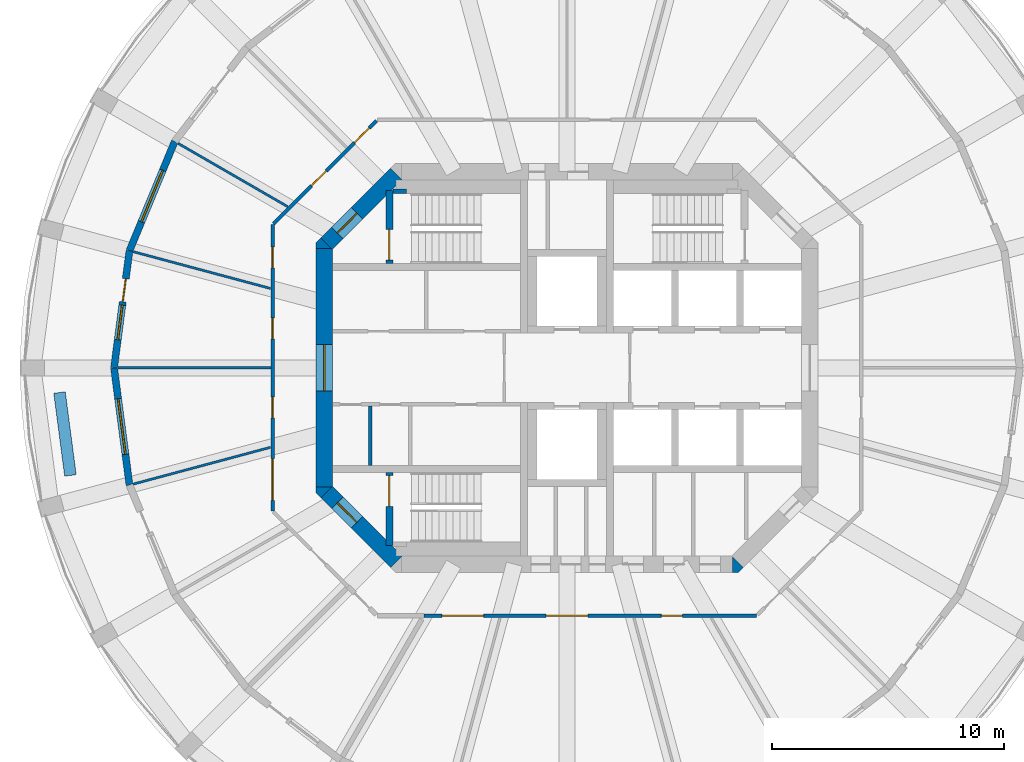
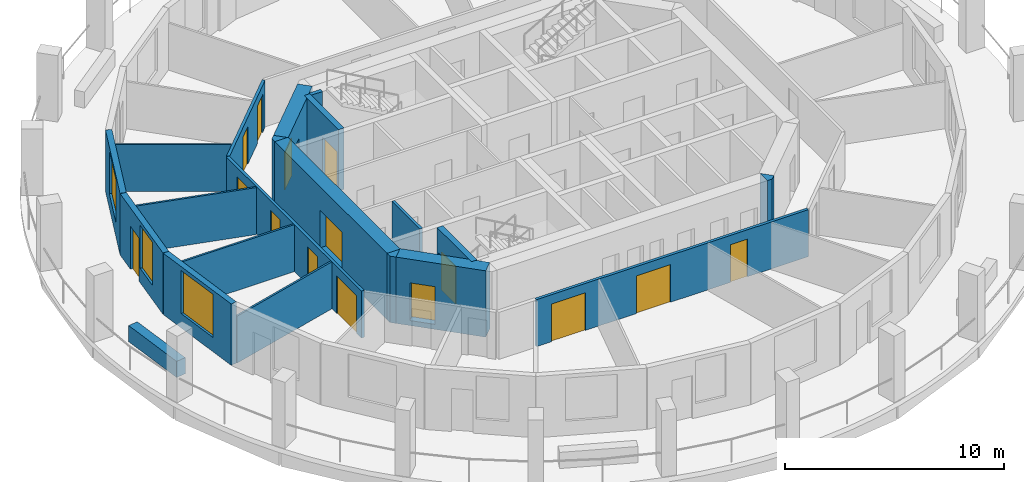
# One storey, part 3 of 9: 21 walls, 15 doors, 3 windows, 18 openings.
"""IFC4 building model written with IfcOpenShell, lengths in metres."""

from ifc_helpers import new_model, si_unit, direction, frame, frame_2d, origin, place, context, subcontext, project, spatial, polyline, rectangle, outline, extrude, material, layer, layer_set, type_object, element, fill, save


model = new_model("IFC4")

# Units and contexts
model_context = context("Model", 3, precision=1e-05, world=origin(), true_north=direction((0.0, 1.0)))
body_context = subcontext(model_context, "Body", "Model", "MODEL_VIEW")
ifc_project = project(units=[si_unit("LENGTHUNIT", "METRE"), si_unit("AREAUNIT", "SQUARE_METRE"), si_unit("VOLUMEUNIT", "CUBIC_METRE"), si_unit("PLANEANGLEUNIT", "RADIAN"), si_unit("MASSUNIT", "GRAM", prefix="KILO")], contexts=[model_context])

# Site, building, storey
site_placement = place(None, origin())
site = spatial("IfcSite", under=ifc_project, at=site_placement, CompositionType="ELEMENT")
building_placement = place(site_placement, origin())
building = spatial("IfcBuilding", under=site, at=building_placement, Name="Torre Triforio", CompositionType="ELEMENT")
storey_placement = place(building_placement, frame((0.0, 0.0, 211.300048828125)))
storey = spatial("IfcBuildingStorey", under=building, at=storey_placement, Name="L48", CompositionType="ELEMENT", Elevation=211.300048828125)

# Wall, opening, door
ifc_material_1 = material(Name="Concrete C50", Category="concrete")
ifc_layer_1 = layer(ifc_material_1, 0.699951171875)
ifc_layer_set_1 = layer_set([ifc_layer_1], Name="Concrete C50")
wall_type_1 = type_object("IfcWallType", Name="Core wall 700 mm C50 EI 120", PredefinedType="SHEAR", material=ifc_layer_set_1)
wall_1_placement = place(storey_placement, frame((-10.449951171875, -5.1298828125, -0.280029296875), z_axis=(0.0, 0.0, 1.0), x_axis=(0.0, 1.0, 0.0)))
wall_1 = element("IfcWall", 1, at=wall_1_placement, inside=storey, type_object=wall_type_1, Name="Core wall", PredefinedType="SHEAR", context=body_context, shape_type="SweptSolid", body=[
    extrude(rectangle(XDim=10.259765625, YDim=0.699951171875, at=frame_2d((5.1298828125, 0.0))), origin(), (0.0, 0.0, 1.0), 3.699951171875),
])
opening_1_placement = place(wall_1_placement, frame((4.1298828125, 0.0, 0.280029296875)))
opening_1 = element("IfcOpeningElement", 2, at=opening_1_placement, cuts=wall_1, Name="Opening W-RING", PredefinedType="OPENING", context=body_context, shape_type="SweptSolid", body=[
    extrude(rectangle(XDim=2.0, YDim=2.10009765625, at=frame_2d((1.0, 1.050048828125))), frame((0.0, 0.35986328125, 0.0), z_axis=(0.0, -1.0, 0.0), x_axis=(1.0, 0.0, 0.0)), (0.0, 0.0, 1.0), 0.719970703125),
])
ifc_material_2 = material(Name="Hollow metal fire door leaf")
door_type_1 = type_object("IfcDoorType", Name="Lobby door 2000 x 2100 EI 60", OperationType="DOUBLE_DOOR_SINGLE_SWING", PredefinedType="DOOR", material=ifc_material_2)
door_1_placement = place(opening_1_placement, origin())
door_1 = element("IfcDoor", 3, at=door_1_placement, inside=storey, type_object=door_type_1, Name="Core door W-RING", OperationType="DOUBLE_DOOR_SINGLE_SWING", OverallHeight=2.10009765625, OverallWidth=2.0, PredefinedType="DOOR", context=body_context, shape_type="SweptSolid", body=[
    extrude(rectangle(XDim=2.0, YDim=2.10009765625, at=frame_2d((1.0, 1.050048828125))), frame((0.0, 0.02490234375, 0.0), z_axis=(0.0, -1.0, 0.0), x_axis=(1.0, 0.0, 0.0)), (0.0, 0.0, 1.0), 0.050048828125),
])
fill(opening_1, door_1)

wall_2_placement = place(storey_placement, frame((-10.347412109375, 5.347412109375, -0.280029296875), z_axis=(0.0, 0.0, 1.0), x_axis=(0.707106781187, 0.707106781187, 0.0)))
wall_2 = element("IfcWall", 4, at=wall_2_placement, inside=storey, type_object=wall_type_1, Name="Core wall", PredefinedType="SHEAR", context=body_context, shape_type="SweptSolid", body=[
    extrude(rectangle(XDim=4.24267578125, YDim=0.699951171875, at=frame_2d((2.121337890625, 0.0))), origin(), (0.0, 0.0, 1.0), 3.699951171875),
])
opening_2_placement = place(wall_2_placement, frame((0.64990234375, 0.0, 0.280029296875)))
opening_2 = element("IfcOpeningElement", 5, at=opening_2_placement, cuts=wall_2, Name="Opening ST1-EXIT", PredefinedType="OPENING", context=body_context, shape_type="SweptSolid", body=[
    extrude(rectangle(XDim=1.199951171875, YDim=2.10009765625, at=frame_2d((0.60009765625, 1.050048828125))), frame((0.0, 0.35986328125, 0.0), z_axis=(0.0, -1.0, 0.0), x_axis=(1.0, 0.0, 0.0)), (0.0, 0.0, 1.0), 0.719970703125),
])
door_type_2 = type_object("IfcDoorType", Name="Stair lobby door 1200 x 2100 EI 60", OperationType="NOTDEFINED", PredefinedType="DOOR", material=ifc_material_2)
door_2_placement = place(opening_2_placement, origin())
door_2 = element("IfcDoor", 6, at=door_2_placement, inside=storey, type_object=door_type_2, Name="Core door ST1-EXIT", OperationType="SINGLE_SWING_RIGHT", OverallHeight=2.10009765625, OverallWidth=1.199951171875, PredefinedType="DOOR", context=body_context, shape_type="SweptSolid", body=[
    extrude(rectangle(XDim=1.199951171875, YDim=2.10009765625, at=frame_2d((0.60009765625, 1.050048828125))), frame((0.0, 0.02490234375, 0.0), z_axis=(0.0, -1.0, 0.0), x_axis=(1.0, 0.0, 0.0)), (0.0, 0.0, 1.0), 0.050048828125),
])
fill(opening_2, door_2)

wall_3_placement = place(storey_placement, frame((-7.347412109375, -8.347412109375, -0.280029296875), z_axis=(0.0, 0.0, 1.0), x_axis=(-0.707106781187, 0.707106781187, 0.0)))
wall_3 = element("IfcWall", 7, at=wall_3_placement, inside=storey, type_object=wall_type_1, Name="Core wall", PredefinedType="SHEAR", context=body_context, shape_type="SweptSolid", body=[
    extrude(rectangle(XDim=4.24267578125, YDim=0.699951171875, at=frame_2d((2.121337890625, 0.0))), origin(), (0.0, 0.0, 1.0), 3.699951171875),
])
opening_3_placement = place(wall_3_placement, frame((2.392578125, 0.0, 0.280029296875)))
opening_3 = element("IfcOpeningElement", 8, at=opening_3_placement, cuts=wall_3, Name="Opening ST3-EXIT", PredefinedType="OPENING", context=body_context, shape_type="SweptSolid", body=[
    extrude(rectangle(XDim=1.199951171875, YDim=2.10009765625, at=frame_2d((0.60009765625, 1.050048828125))), frame((0.0, 0.35986328125, 0.0), z_axis=(0.0, -1.0, 0.0), x_axis=(1.0, 0.0, 0.0)), (0.0, 0.0, 1.0), 0.719970703125),
])
door_3_placement = place(opening_3_placement, origin())
door_3 = element("IfcDoor", 9, at=door_3_placement, inside=storey, type_object=door_type_2, Name="Core door ST3-EXIT", OperationType="SINGLE_SWING_RIGHT", OverallHeight=2.10009765625, OverallWidth=1.199951171875, PredefinedType="DOOR", context=body_context, shape_type="SweptSolid", body=[
    extrude(rectangle(XDim=1.199951171875, YDim=2.10009765625, at=frame_2d((0.60009765625, 1.050048828125))), frame((0.0, 0.02490234375, 0.0), z_axis=(0.0, -1.0, 0.0), x_axis=(1.0, 0.0, 0.0)), (0.0, 0.0, 1.0), 0.050048828125),
])
fill(opening_3, door_3)

# Walls
wall_4_placement = place(storey_placement, frame((0.0, 0.0, -0.280029296875)))
element("IfcWall", 10, at=wall_4_placement, inside=storey, type_object=wall_type_1, Name="Core wall", PredefinedType="SHEAR", context=body_context, shape_type="SweptSolid", body=[
    extrude(outline(polyline([(7.389892578125, -8.800048828125), (7.1298828125, -8.800048828125), (7.1298828125, -8.800048828125), (7.1298828125, -8.1298828125), (7.594970703125, -8.594970703125), (7.594970703125, -8.594970703125), (7.594970703125, -8.594970703125), (7.389892578125, -8.800048828125)])), origin(), (0.0, 0.0, 1.0), 3.699951171875),
])
wall_5_placement = place(storey_placement, frame((0.0, 0.0, -0.280029296875)))
element("IfcWall", 11, at=wall_5_placement, inside=storey, type_object=wall_type_1, Name="Core wall", PredefinedType="SHEAR", context=body_context, shape_type="SweptSolid", body=[
    extrude(outline(polyline([(-10.800048828125, -5.389892578125), (-10.800048828125, -5.1298828125), (-10.800048828125, -5.1298828125), (-10.1298828125, -5.1298828125), (-10.594970703125, -5.594970703125), (-10.594970703125, -5.594970703125), (-10.594970703125, -5.594970703125), (-10.800048828125, -5.389892578125)])), origin(), (0.0, 0.0, 1.0), 3.699951171875),
])
wall_6_placement = place(storey_placement, frame((0.0, 0.0, -0.280029296875)))
element("IfcWall", 12, at=wall_6_placement, inside=storey, type_object=wall_type_1, Name="Core wall", PredefinedType="SHEAR", context=body_context, shape_type="SweptSolid", body=[
    extrude(outline(polyline([(-10.594970703125, 5.594970703125), (-10.594970703125, 5.594970703125), (-10.594970703125, 5.594970703125), (-10.1298828125, 5.1298828125), (-10.800048828125, 5.1298828125), (-10.800048828125, 5.1298828125), (-10.800048828125, 5.389892578125), (-10.594970703125, 5.594970703125)])), origin(), (0.0, 0.0, 1.0), 3.699951171875),
])

# Wall, openings, doors
ifc_material_3 = material(Name="Plasterboard on metal studs")
ifc_layer_2 = layer(ifc_material_3, 0.14990234375)
ifc_layer_set_2 = layer_set([ifc_layer_2], Name="Plasterboard on metal studs")
wall_type_2 = type_object("IfcWallType", Name="Corridor and tenancy wall 150 mm EI 60", PredefinedType="PARTITIONING", material=ifc_layer_set_2)
wall_7_placement = place(storey_placement, frame((8.16650390625, -10.675048828125, 0.0), z_axis=(0.0, 0.0, 1.0), x_axis=(-1.0, 0.0, 0.0)))
wall_7 = element("IfcWall", 13, at=wall_7_placement, inside=storey, type_object=wall_type_2, Name="Partition 2", PredefinedType="PARTITIONING", context=body_context, shape_type="SweptSolid", body=[
    extrude(rectangle(XDim=14.32958984375, YDim=0.14990234375, at=frame_2d((7.164794921875, 0.0))), origin(), (0.0, 0.0, 1.0), 2.619873046875),
])
opening_4_placement = place(wall_7_placement, frame((7.2666015625, 0.0, 0.0)))
opening_4 = element("IfcOpeningElement", 14, at=opening_4_placement, cuts=wall_7, Name="Opening O6-01", PredefinedType="OPENING", context=body_context, shape_type="SweptSolid", body=[
    extrude(rectangle(XDim=1.800048828125, YDim=2.10009765625, at=frame_2d((0.89990234375, 1.050048828125))), frame((0.0, 0.0849609375, 0.0), z_axis=(0.0, -1.0, 0.0), x_axis=(1.0, 0.0, 0.0)), (0.0, 0.0, 1.0), 0.169921875),
])
opening_5_placement = place(wall_7_placement, frame((3.200927734375, 0.0, 0.0)))
opening_5 = element("IfcOpeningElement", 15, at=opening_5_placement, cuts=wall_7, Name="Opening O6-02", PredefinedType="OPENING", context=body_context, shape_type="SweptSolid", body=[
    extrude(rectangle(XDim=0.89990234375, YDim=2.10009765625, at=frame_2d((0.449951171875, 1.050048828125))), frame((0.0, 0.0849609375, 0.0), z_axis=(0.0, -1.0, 0.0), x_axis=(1.0, 0.0, 0.0)), (0.0, 0.0, 1.0), 0.169921875),
])
opening_6_placement = place(wall_7_placement, frame((11.75341796875, 0.0, 0.0)))
opening_6 = element("IfcOpeningElement", 16, at=opening_6_placement, cuts=wall_7, Name="Opening O6-17", PredefinedType="OPENING", context=body_context, shape_type="SweptSolid", body=[
    extrude(rectangle(XDim=1.800048828125, YDim=2.10009765625, at=frame_2d((0.89990234375, 1.050048828125))), frame((0.0, 0.0849609375, 0.0), z_axis=(0.0, -1.0, 0.0), x_axis=(1.0, 0.0, 0.0)), (0.0, 0.0, 1.0), 0.169921875),
])
ifc_material_4 = material(Name="Timber", Category="wood")
door_type_3 = type_object("IfcDoorType", Name="Door 1800 x 2100 double leaf EI 30", OperationType="DOUBLE_DOOR_SINGLE_SWING", PredefinedType="DOOR", material=ifc_material_4)
door_4_placement = place(opening_4_placement, origin())
door_4 = element("IfcDoor", 17, at=door_4_placement, inside=storey, type_object=door_type_3, Name="Door O6-01", OperationType="DOUBLE_DOOR_SINGLE_SWING", OverallHeight=2.10009765625, OverallWidth=1.800048828125, PredefinedType="DOOR", context=body_context, shape_type="SweptSolid", body=[
    extrude(rectangle(XDim=1.800048828125, YDim=2.10009765625, at=frame_2d((0.89990234375, 1.050048828125))), frame((0.0, 0.02490234375, 0.0), z_axis=(0.0, -1.0, 0.0), x_axis=(1.0, 0.0, 0.0)), (0.0, 0.0, 1.0), 0.050048828125),
])
fill(opening_4, door_4)
door_5_placement = place(opening_6_placement, origin())
door_5 = element("IfcDoor", 18, at=door_5_placement, inside=storey, type_object=door_type_3, Name="Door O6-17", OperationType="DOUBLE_DOOR_SINGLE_SWING", OverallHeight=2.10009765625, OverallWidth=1.800048828125, PredefinedType="DOOR", context=body_context, shape_type="SweptSolid", body=[
    extrude(rectangle(XDim=1.800048828125, YDim=2.10009765625, at=frame_2d((0.89990234375, 1.050048828125))), frame((0.0, 0.02490234375, 0.0), z_axis=(0.0, -1.0, 0.0), x_axis=(1.0, 0.0, 0.0)), (0.0, 0.0, 1.0), 0.050048828125),
])
fill(opening_6, door_5)
door_type_4 = type_object("IfcDoorType", Name="Door 900 x 2100 single leaf EI 30", OperationType="NOTDEFINED", PredefinedType="DOOR", material=ifc_material_4)
door_6_placement = place(opening_5_placement, origin())
door_6 = element("IfcDoor", 19, at=door_6_placement, inside=storey, type_object=door_type_4, Name="Door O6-02", OperationType="SINGLE_SWING_LEFT", OverallHeight=2.10009765625, OverallWidth=0.89990234375, PredefinedType="DOOR", context=body_context, shape_type="SweptSolid", body=[
    extrude(rectangle(XDim=0.89990234375, YDim=2.10009765625, at=frame_2d((0.449951171875, 1.050048828125))), frame((0.0, 0.02490234375, 0.0), z_axis=(0.0, -1.0, 0.0), x_axis=(1.0, 0.0, 0.0)), (0.0, 0.0, 1.0), 0.050048828125),
])
fill(opening_5, door_6)

wall_8_placement = place(storey_placement, frame((-12.675048828125, -6.16650390625, 0.0), z_axis=(0.0, 0.0, 1.0), x_axis=(0.0, 1.0, 0.0)))
wall_8 = element("IfcWall", 20, at=wall_8_placement, inside=storey, type_object=wall_type_2, Name="Partition 6", PredefinedType="PARTITIONING", context=body_context, shape_type="SweptSolid", body=[
    extrude(rectangle(XDim=12.3330078125, YDim=0.14990234375, at=frame_2d((6.16650390625, 0.0))), origin(), (0.0, 0.0, 1.0), 2.619873046875),
])
opening_7_placement = place(wall_8_placement, frame((10.47314453125, 0.0, 0.0)))
opening_7 = element("IfcOpeningElement", 21, at=opening_7_placement, cuts=wall_8, Name="Opening O6-11", PredefinedType="OPENING", context=body_context, shape_type="SweptSolid", body=[
    extrude(rectangle(XDim=0.89990234375, YDim=2.10009765625, at=frame_2d((0.449951171875, 1.050048828125))), frame((0.0, 0.0849609375, 0.0), z_axis=(0.0, -1.0, 0.0), x_axis=(1.0, 0.0, 0.0)), (0.0, 0.0, 1.0), 0.169921875),
])
opening_8_placement = place(wall_8_placement, frame((7.41552734375, 0.0, 0.0)))
opening_8 = element("IfcOpeningElement", 22, at=opening_8_placement, cuts=wall_8, Name="Opening O6-12", PredefinedType="OPENING", context=body_context, shape_type="SweptSolid", body=[
    extrude(rectangle(XDim=0.89990234375, YDim=2.10009765625, at=frame_2d((0.449951171875, 1.050048828125))), frame((0.0, 0.0849609375, 0.0), z_axis=(0.0, -1.0, 0.0), x_axis=(1.0, 0.0, 0.0)), (0.0, 0.0, 1.0), 0.169921875),
])
opening_9_placement = place(wall_8_placement, frame((4.017578125, 0.0, 0.0)))
opening_9 = element("IfcOpeningElement", 23, at=opening_9_placement, cuts=wall_8, Name="Opening O6-13", PredefinedType="OPENING", context=body_context, shape_type="SweptSolid", body=[
    extrude(rectangle(XDim=0.89990234375, YDim=2.10009765625, at=frame_2d((0.449951171875, 1.050048828125))), frame((0.0, 0.0849609375, 0.0), z_axis=(0.0, -1.0, 0.0), x_axis=(1.0, 0.0, 0.0)), (0.0, 0.0, 1.0), 0.169921875),
])
opening_10_placement = place(wall_8_placement, frame((0.460205078125, 0.0, 0.0)))
opening_10 = element("IfcOpeningElement", 24, at=opening_10_placement, cuts=wall_8, Name="Opening O6-14", PredefinedType="OPENING", context=body_context, shape_type="SweptSolid", body=[
    extrude(rectangle(XDim=1.800048828125, YDim=2.10009765625, at=frame_2d((0.89990234375, 1.050048828125))), frame((0.0, 0.0849609375, 0.0), z_axis=(0.0, -1.0, 0.0), x_axis=(1.0, 0.0, 0.0)), (0.0, 0.0, 1.0), 0.169921875),
])
door_7_placement = place(opening_10_placement, origin())
door_7 = element("IfcDoor", 25, at=door_7_placement, inside=storey, type_object=door_type_3, Name="Door O6-14", OperationType="DOUBLE_DOOR_SINGLE_SWING", OverallHeight=2.10009765625, OverallWidth=1.800048828125, PredefinedType="DOOR", context=body_context, shape_type="SweptSolid", body=[
    extrude(rectangle(XDim=1.800048828125, YDim=2.10009765625, at=frame_2d((0.89990234375, 1.050048828125))), frame((0.0, 0.02490234375, 0.0), z_axis=(0.0, -1.0, 0.0), x_axis=(1.0, 0.0, 0.0)), (0.0, 0.0, 1.0), 0.050048828125),
])
fill(opening_10, door_7)
door_8_placement = place(opening_7_placement, origin())
door_8 = element("IfcDoor", 26, at=door_8_placement, inside=storey, type_object=door_type_4, Name="Door O6-11", OperationType="SINGLE_SWING_LEFT", OverallHeight=2.10009765625, OverallWidth=0.89990234375, PredefinedType="DOOR", context=body_context, shape_type="SweptSolid", body=[
    extrude(rectangle(XDim=0.89990234375, YDim=2.10009765625, at=frame_2d((0.449951171875, 1.050048828125))), frame((0.0, 0.02490234375, 0.0), z_axis=(0.0, -1.0, 0.0), x_axis=(1.0, 0.0, 0.0)), (0.0, 0.0, 1.0), 0.050048828125),
])
fill(opening_7, door_8)
door_9_placement = place(opening_8_placement, origin())
door_9 = element("IfcDoor", 27, at=door_9_placement, inside=storey, type_object=door_type_4, Name="Door O6-12", OperationType="SINGLE_SWING_LEFT", OverallHeight=2.10009765625, OverallWidth=0.89990234375, PredefinedType="DOOR", context=body_context, shape_type="SweptSolid", body=[
    extrude(rectangle(XDim=0.89990234375, YDim=2.10009765625, at=frame_2d((0.449951171875, 1.050048828125))), frame((0.0, 0.02490234375, 0.0), z_axis=(0.0, -1.0, 0.0), x_axis=(1.0, 0.0, 0.0)), (0.0, 0.0, 1.0), 0.050048828125),
])
fill(opening_8, door_9)
door_10_placement = place(opening_9_placement, origin())
door_10 = element("IfcDoor", 28, at=door_10_placement, inside=storey, type_object=door_type_4, Name="Door O6-13", OperationType="SINGLE_SWING_LEFT", OverallHeight=2.10009765625, OverallWidth=0.89990234375, PredefinedType="DOOR", context=body_context, shape_type="SweptSolid", body=[
    extrude(rectangle(XDim=0.89990234375, YDim=2.10009765625, at=frame_2d((0.449951171875, 1.050048828125))), frame((0.0, 0.02490234375, 0.0), z_axis=(0.0, -1.0, 0.0), x_axis=(1.0, 0.0, 0.0)), (0.0, 0.0, 1.0), 0.050048828125),
])
fill(opening_9, door_10)

wall_9_placement = place(storey_placement, frame((-12.637939453125, 6.20361328125, 0.0), z_axis=(0.0, 0.0, 1.0), x_axis=(0.707106781187, 0.707106781187, 0.0)))
wall_9 = element("IfcWall", 29, at=wall_9_placement, inside=storey, type_object=wall_type_2, Name="Partition 7", PredefinedType="PARTITIONING", context=body_context, shape_type="SweptSolid", body=[
    extrude(rectangle(XDim=6.27099609375, YDim=0.14990234375, at=frame_2d((3.135498046875, 0.0))), origin(), (0.0, 0.0, 1.0), 2.619873046875),
])
opening_11_placement = place(wall_9_placement, frame((4.935302734375, 0.0, 0.0)))
opening_11 = element("IfcOpeningElement", 30, at=opening_11_placement, cuts=wall_9, Name="Opening O6-09", PredefinedType="OPENING", context=body_context, shape_type="SweptSolid", body=[
    extrude(rectangle(XDim=0.89990234375, YDim=2.10009765625, at=frame_2d((0.449951171875, 1.050048828125))), frame((0.0, 0.0849609375, 0.0), z_axis=(0.0, -1.0, 0.0), x_axis=(1.0, 0.0, 0.0)), (0.0, 0.0, 1.0), 0.169921875),
])
opening_12_placement = place(wall_9_placement, frame((2.313720703125, 0.0, 0.0)))
opening_12 = element("IfcOpeningElement", 31, at=opening_12_placement, cuts=wall_9, Name="Opening O6-10", PredefinedType="OPENING", context=body_context, shape_type="SweptSolid", body=[
    extrude(rectangle(XDim=0.89990234375, YDim=2.10009765625, at=frame_2d((0.449951171875, 1.050048828125))), frame((0.0, 0.0849609375, 0.0), z_axis=(0.0, -1.0, 0.0), x_axis=(1.0, 0.0, 0.0)), (0.0, 0.0, 1.0), 0.169921875),
])
door_11_placement = place(opening_11_placement, origin())
door_11 = element("IfcDoor", 32, at=door_11_placement, inside=storey, type_object=door_type_4, Name="Door O6-09", OperationType="SINGLE_SWING_LEFT", OverallHeight=2.10009765625, OverallWidth=0.89990234375, PredefinedType="DOOR", context=body_context, shape_type="SweptSolid", body=[
    extrude(rectangle(XDim=0.89990234375, YDim=2.10009765625, at=frame_2d((0.449951171875, 1.050048828125))), frame((0.0, 0.02490234375, 0.0), z_axis=(0.0, -1.0, 0.0), x_axis=(1.0, 0.0, 0.0)), (0.0, 0.0, 1.0), 0.050048828125),
])
fill(opening_11, door_11)
door_12_placement = place(opening_12_placement, origin())
door_12 = element("IfcDoor", 33, at=door_12_placement, inside=storey, type_object=door_type_4, Name="Door O6-10", OperationType="SINGLE_SWING_RIGHT", OverallHeight=2.10009765625, OverallWidth=0.89990234375, PredefinedType="DOOR", context=body_context, shape_type="SweptSolid", body=[
    extrude(rectangle(XDim=0.89990234375, YDim=2.10009765625, at=frame_2d((0.449951171875, 1.050048828125))), frame((0.0, 0.02490234375, 0.0), z_axis=(0.0, -1.0, 0.0), x_axis=(1.0, 0.0, 0.0)), (0.0, 0.0, 1.0), 0.050048828125),
])
fill(opening_12, door_12)

# Walls
ifc_layer_3 = layer(ifc_material_3, 0.10009765625)
ifc_layer_set_3 = layer_set([ifc_layer_3], Name="Plasterboard on metal studs")
wall_type_3 = type_object("IfcWallType", Name="Partition 100 mm board on metal studs", PredefinedType="PARTITIONING", material=ifc_layer_set_3)
wall_10_placement = place(storey_placement, frame((-12.025146484375, 6.94287109375, 0.0), z_axis=(0.0, 0.0, 1.0), x_axis=(-0.866029712004, 0.499992537871, 0.0)))
element("IfcWall", 34, at=wall_10_placement, inside=storey, type_object=wall_type_3, Name="Partition 16", PredefinedType="PARTITIONING", context=body_context, shape_type="SweptSolid", body=[
    extrude(rectangle(XDim=5.451171875, YDim=0.10009765625, at=frame_2d((2.7255859375, 0.0))), origin(), (0.0, 0.0, 1.0), 2.619873046875),
])
wall_11_placement = place(storey_placement, frame((-12.764404296875, 3.420166015625, 0.0), z_axis=(0.0, 0.0, 1.0), x_axis=(-0.965925800266, 0.258819142221, 0.0)))
element("IfcWall", 35, at=wall_11_placement, inside=storey, type_object=wall_type_3, Name="Partition 17", PredefinedType="PARTITIONING", context=body_context, shape_type="SweptSolid", body=[
    extrude(rectangle(XDim=6.121826171875, YDim=0.10009765625, at=frame_2d((3.06103515625, 0.0))), origin(), (0.0, 0.0, 1.0), 2.619873046875),
])
wall_12_placement = place(storey_placement, frame((-12.75, 0.0, 0.0), z_axis=(0.0, 0.0, 1.0), x_axis=(-1.0, 0.0, 0.0)))
element("IfcWall", 36, at=wall_12_placement, inside=storey, type_object=wall_type_3, Name="Partition 18", PredefinedType="PARTITIONING", context=body_context, shape_type="SweptSolid", body=[
    extrude(rectangle(XDim=6.586669921875, YDim=0.10009765625, at=frame_2d((3.29345703125, 0.0))), origin(), (0.0, 0.0, 1.0), 2.619873046875),
])
wall_13_placement = place(storey_placement, frame((-12.764404296875, -3.420166015625, 0.0), z_axis=(0.0, 0.0, 1.0), x_axis=(-0.965925800266, -0.258819142221, 0.0)))
element("IfcWall", 37, at=wall_13_placement, inside=storey, type_object=wall_type_3, Name="Partition 19", PredefinedType="PARTITIONING", context=body_context, shape_type="SweptSolid", body=[
    extrude(rectangle(XDim=6.121826171875, YDim=0.10009765625, at=frame_2d((3.06103515625, 0.0))), origin(), (0.0, 0.0, 1.0), 2.619873046875),
])
ifc_material_5 = material(Name="Block and board partition")
ifc_layer_4 = layer(ifc_material_5, 0.14990234375)
ifc_layer_set_4 = layer_set([ifc_layer_4], Name="Block and board partition")
wall_type_4 = type_object("IfcWallType", Name="Partition 150 mm", PredefinedType="PARTITIONING", material=ifc_layer_set_4)
wall_14_placement = place(storey_placement, frame((-8.465087890625, -4.199951171875, 0.0), z_axis=(0.0, 0.0, 1.0), x_axis=(0.0, 1.0, 0.0)))
element("IfcWall", 38, at=wall_14_placement, inside=storey, type_object=wall_type_4, Name="Partition", PredefinedType="PARTITIONING", context=body_context, shape_type="SweptSolid", body=[
    extrude(rectangle(XDim=2.550048828125, YDim=0.14990234375, at=frame_2d((1.27490234375, 0.0))), origin(), (0.0, 0.0, 1.0), 3.419921875),
])
ifc_material_6 = material(Name="Limestone cladding", Category="masonry")
ifc_layer_5 = layer(ifc_material_6, 0.10009765625)
ifc_material_7 = material(Name="Concrete C40", Category="concrete")
ifc_layer_6 = layer(ifc_material_7, 0.39990234375)
ifc_layer_set_5 = layer_set([ifc_layer_5, ifc_layer_6], Name="Limestone cladding / Concrete C40")
wall_type_5 = type_object("IfcWallType", Name="Planter wall 500", PredefinedType="PARAPET", material=ifc_layer_set_5)
wall_15_placement = place(storey_placement, frame((-21.848388671875, -1.060791015625, 0.0), z_axis=(0.0, 0.0, 1.0), x_axis=(0.130475563272, -0.991451525486, 0.0)))
element("IfcWall", 39, at=wall_15_placement, inside=storey, type_object=wall_type_5, Name="Planter L48 bay 13", PredefinedType="PARAPET", context=body_context, shape_type="SweptSolid", body=[
    extrude(rectangle(XDim=3.60009765625, YDim=0.5, at=frame_2d((1.800048828125, 0.0))), origin(), (0.0, 0.0, 1.0), 0.89990234375),
])
ifc_layer_7 = layer(ifc_material_1, 0.199951171875)
ifc_layer_set_6 = layer_set([ifc_layer_7], Name="Concrete C50")
wall_type_6 = type_object("IfcWallType", Name="Stair wall 200 mm C50 EI 120", PredefinedType="SHEAR", material=ifc_layer_set_6)
wall_16_placement = place(storey_placement, frame((-7.5, 7.60009765625, 0.0), z_axis=(0.0, 0.0, 1.0), x_axis=(1.0, 0.0, 0.0)))
element("IfcWall", 40, at=wall_16_placement, inside=storey, type_object=wall_type_6, Name="Stair wall", PredefinedType="SHEAR", context=body_context, shape_type="SweptSolid", body=[
    extrude(rectangle(XDim=0.60009765625, YDim=0.199951171875, at=frame_2d((0.300048828125, 0.0))), origin(), (0.0, 0.0, 1.0), 3.419921875),
])

# Wall, opening, door
ifc_layer_8 = layer(ifc_material_1, 0.300048828125)
ifc_layer_set_7 = layer_set([ifc_layer_8], Name="Concrete C50")
wall_type_7 = type_object("IfcWallType", Name="Stair wall 300 mm C50 EI 120", PredefinedType="SHEAR", material=ifc_layer_set_7)
wall_17_placement = place(storey_placement, frame((-7.64990234375, 4.5, 0.0), z_axis=(0.0, 0.0, 1.0), x_axis=(0.0, 1.0, 0.0)))
wall_17 = element("IfcWall", 41, at=wall_17_placement, inside=storey, type_object=wall_type_7, Name="Stair wall", PredefinedType="SHEAR", context=body_context, shape_type="SweptSolid", body=[
    extrude(rectangle(XDim=3.139892578125, YDim=0.300048828125, at=frame_2d((1.56982421875, 0.0))), origin(), (0.0, 0.0, 1.0), 3.419921875),
])
opening_13_placement = place(wall_17_placement, frame((0.139892578125, 0.0, 0.0)))
opening_13 = element("IfcOpeningElement", 42, at=opening_13_placement, cuts=wall_17, Name="Opening ST1-STA", PredefinedType="OPENING", context=body_context, shape_type="SweptSolid", body=[
    extrude(rectangle(XDim=1.320068359375, YDim=2.10009765625, at=frame_2d((0.66015625, 1.050048828125))), frame((0.0, 0.159912109375, 0.0), z_axis=(0.0, -1.0, 0.0), x_axis=(1.0, 0.0, 0.0)), (0.0, 0.0, 1.0), 0.320068359375),
])
door_type_5 = type_object("IfcDoorType", Name="Stair door 1320 x 2100 EI 90", OperationType="DOUBLE_DOOR_SINGLE_SWING", PredefinedType="DOOR", material=ifc_material_2)
door_13_placement = place(opening_13_placement, origin())
door_13 = element("IfcDoor", 43, at=door_13_placement, inside=storey, type_object=door_type_5, Name="Core door ST1-ST", OperationType="DOUBLE_DOOR_SINGLE_SWING", OverallHeight=2.10009765625, OverallWidth=1.320068359375, PredefinedType="DOOR", context=body_context, shape_type="SweptSolid", body=[
    extrude(rectangle(XDim=1.320068359375, YDim=2.10009765625, at=frame_2d((0.66015625, 1.050048828125))), frame((0.0, 0.02490234375, 0.0), z_axis=(0.0, -1.0, 0.0), x_axis=(1.0, 0.0, 0.0)), (0.0, 0.0, 1.0), 0.050048828125),
])
fill(opening_13, door_13)

wall_18_placement = place(storey_placement, frame((-7.64990234375, -7.639892578125, 0.0), z_axis=(0.0, 0.0, 1.0), x_axis=(0.0, 1.0, 0.0)))
wall_18 = element("IfcWall", 44, at=wall_18_placement, inside=storey, type_object=wall_type_7, Name="Stair wall", PredefinedType="SHEAR", context=body_context, shape_type="SweptSolid", body=[
    extrude(rectangle(XDim=3.139892578125, YDim=0.300048828125, at=frame_2d((1.56982421875, 0.0))), origin(), (0.0, 0.0, 1.0), 3.419921875),
])
opening_14_placement = place(wall_18_placement, frame((1.679931640625, 0.0, 0.0)))
opening_14 = element("IfcOpeningElement", 45, at=opening_14_placement, cuts=wall_18, Name="Opening ST3-STA", PredefinedType="OPENING", context=body_context, shape_type="SweptSolid", body=[
    extrude(rectangle(XDim=1.320068359375, YDim=2.10009765625, at=frame_2d((0.66015625, 1.050048828125))), frame((0.0, 0.159912109375, 0.0), z_axis=(0.0, -1.0, 0.0), x_axis=(1.0, 0.0, 0.0)), (0.0, 0.0, 1.0), 0.320068359375),
])
door_14_placement = place(opening_14_placement, origin())
door_14 = element("IfcDoor", 46, at=door_14_placement, inside=storey, type_object=door_type_5, Name="Core door ST3-ST", OperationType="DOUBLE_DOOR_SINGLE_SWING", OverallHeight=2.10009765625, OverallWidth=1.320068359375, PredefinedType="DOOR", context=body_context, shape_type="SweptSolid", body=[
    extrude(rectangle(XDim=1.320068359375, YDim=2.10009765625, at=frame_2d((0.66015625, 1.050048828125))), frame((0.0, 0.02490234375, 0.0), z_axis=(0.0, -1.0, 0.0), x_axis=(1.0, 0.0, 0.0)), (0.0, 0.0, 1.0), 0.050048828125),
])
fill(opening_14, door_14)

# Wall, opening, window
ifc_layer_9 = layer(ifc_material_6, 0.10009765625)
ifc_layer_10 = layer(ifc_material_7, 0.199951171875)
ifc_layer_set_8 = layer_set([ifc_layer_9, ifc_layer_10], Name="Limestone cladding / Concrete C40")
wall_type_8 = type_object("IfcWallType", Name="Stone-faced composite wall 300", PredefinedType="STANDARD", material=ifc_layer_set_8)
wall_19_placement = place(storey_placement, frame((-16.887451171875, 9.75, 0.0), z_axis=(0.0, 0.0, 1.0), x_axis=(-0.382724538613, -0.923862504675, 0.0)))
wall_19 = element("IfcWall", 47, at=wall_19_placement, inside=storey, type_object=wall_type_8, Name="External wall L48 bay 11", PredefinedType="STANDARD", context=body_context, shape_type="SweptSolid", body=[
    extrude(rectangle(XDim=5.090576171875, YDim=0.300048828125, at=frame_2d((2.54541015625, 0.0))), origin(), (0.0, 0.0, 1.0), 3.419921875),
])
opening_15_placement = place(wall_19_placement, frame((1.34521484375, 0.0, 0.800048828125)))
opening_15 = element("IfcOpeningElement", 48, at=opening_15_placement, cuts=wall_19, Name="Opening O6-W11", PredefinedType="OPENING", context=body_context, shape_type="SweptSolid", body=[
    extrude(rectangle(XDim=2.39990234375, YDim=2.39990234375, at=frame_2d((1.199951171875, 1.199951171875))), frame((0.0, 0.159912109375, 0.0), z_axis=(0.0, -1.0, 0.0), x_axis=(1.0, 0.0, 0.0)), (0.0, 0.0, 1.0), 0.320068359375),
])
ifc_material_8 = material(Name="Aluminium frame with clear double glazing", Category="aluminium")
window_type_1 = type_object("IfcWindowType", Name="Punched window 2400 x 2400", PartitioningType="DOUBLE_PANEL_VERTICAL", PredefinedType="WINDOW", material=ifc_material_8)
window_1_placement = place(opening_15_placement, origin())
window_1 = element("IfcWindow", 49, at=window_1_placement, inside=storey, type_object=window_type_1, Name="Window EWN4 L48 bay 11", OverallHeight=2.39990234375, OverallWidth=2.39990234375, PartitioningType="SINGLE_PANEL", PredefinedType="WINDOW", context=body_context, shape_type="SweptSolid", body=[
    extrude(rectangle(XDim=2.39990234375, YDim=2.39990234375, at=frame_2d((1.199951171875, 1.199951171875))), frame((0.0, 0.030029296875, 0.0), z_axis=(0.0, -1.0, 0.0), x_axis=(1.0, 0.0, 0.0)), (0.0, 0.0, 1.0), 0.06005859375),
])
fill(opening_15, window_1)

# Wall, openings, door, window
wall_20_placement = place(storey_placement, frame((-18.835693359375, 5.047119140625, 0.0), z_axis=(0.0, 0.0, 1.0), x_axis=(-0.130495451964, -0.99144890792, 0.0)))
wall_20 = element("IfcWall", 50, at=wall_20_placement, inside=storey, type_object=wall_type_8, Name="External wall L48 bay 12", PredefinedType="STANDARD", context=body_context, shape_type="SweptSolid", body=[
    extrude(rectangle(XDim=5.090576171875, YDim=0.300048828125, at=frame_2d((2.54541015625, 0.0))), origin(), (0.0, 0.0, 1.0), 3.419921875),
])
opening_16_placement = place(wall_20_placement, frame((1.22021484375, 0.0, 0.0)))
opening_16 = element("IfcOpeningElement", 51, at=opening_16_placement, cuts=wall_20, Name="Opening O6-D12", PredefinedType="OPENING", context=body_context, shape_type="SweptSolid", body=[
    extrude(rectangle(XDim=1.0, YDim=2.39990234375, at=frame_2d((0.5, 1.199951171875))), frame((0.0, 0.159912109375, 0.0), z_axis=(0.0, -1.0, 0.0), x_axis=(1.0, 0.0, 0.0)), (0.0, 0.0, 1.0), 0.320068359375),
])
opening_17_placement = place(wall_20_placement, frame((2.370361328125, 0.0, 0.800048828125)))
opening_17 = element("IfcOpeningElement", 52, at=opening_17_placement, cuts=wall_20, Name="Opening O6-W12A", PredefinedType="OPENING", context=body_context, shape_type="SweptSolid", body=[
    extrude(rectangle(XDim=1.5, YDim=2.39990234375, at=frame_2d((0.75, 1.199951171875))), frame((0.0, 0.159912109375, 0.0), z_axis=(0.0, -1.0, 0.0), x_axis=(1.0, 0.0, 0.0)), (0.0, 0.0, 1.0), 0.320068359375),
])
door_type_6 = type_object("IfcDoorType", Name="Loggia door 1000 x 2400", OperationType="NOTDEFINED", PredefinedType="DOOR", material=ifc_material_8)
door_15_placement = place(opening_16_placement, origin())
door_15 = element("IfcDoor", 53, at=door_15_placement, inside=storey, type_object=door_type_6, Name="Loggia door L48 bay 12", OperationType="SINGLE_SWING_LEFT", OverallHeight=2.39990234375, OverallWidth=1.0, PredefinedType="DOOR", context=body_context, shape_type="SweptSolid", body=[
    extrude(rectangle(XDim=1.0, YDim=2.39990234375, at=frame_2d((0.5, 1.199951171875))), frame((0.0, 0.02490234375, 0.0), z_axis=(0.0, -1.0, 0.0), x_axis=(1.0, 0.0, 0.0)), (0.0, 0.0, 1.0), 0.050048828125),
])
fill(opening_16, door_15)
window_type_2 = type_object("IfcWindowType", Name="Side window 1500 x 2400", PartitioningType="SINGLE_PANEL", PredefinedType="WINDOW", material=ifc_material_8)
window_2_placement = place(opening_17_placement, origin())
window_2 = element("IfcWindow", 54, at=window_2_placement, inside=storey, type_object=window_type_2, Name="Side window EWN14 L48 bay 12", OverallHeight=2.39990234375, OverallWidth=1.5, PartitioningType="SINGLE_PANEL", PredefinedType="WINDOW", context=body_context, shape_type="SweptSolid", body=[
    extrude(rectangle(XDim=1.5, YDim=2.39990234375, at=frame_2d((0.75, 1.199951171875))), frame((0.0, 0.030029296875, 0.0), z_axis=(0.0, -1.0, 0.0), x_axis=(1.0, 0.0, 0.0)), (0.0, 0.0, 1.0), 0.06005859375),
])
fill(opening_17, window_2)

# Wall, opening, window
wall_21_placement = place(storey_placement, frame((-19.5, 0.0, 0.0), z_axis=(0.0, 0.0, 1.0), x_axis=(0.130495451964, -0.99144890792, 0.0)))
wall_21 = element("IfcWall", 55, at=wall_21_placement, inside=storey, type_object=wall_type_8, Name="External wall L48 bay 13", PredefinedType="STANDARD", context=body_context, shape_type="SweptSolid", body=[
    extrude(rectangle(XDim=5.090576171875, YDim=0.300048828125, at=frame_2d((2.54541015625, 0.0))), origin(), (0.0, 0.0, 1.0), 3.419921875),
])
opening_18_placement = place(wall_21_placement, frame((1.34521484375, 0.0, 0.800048828125)))
opening_18 = element("IfcOpeningElement", 56, at=opening_18_placement, cuts=wall_21, Name="Opening O6-W13", PredefinedType="OPENING", context=body_context, shape_type="SweptSolid", body=[
    extrude(rectangle(XDim=2.39990234375, YDim=2.39990234375, at=frame_2d((1.199951171875, 1.199951171875))), frame((0.0, 0.159912109375, 0.0), z_axis=(0.0, -1.0, 0.0), x_axis=(1.0, 0.0, 0.0)), (0.0, 0.0, 1.0), 0.320068359375),
])
window_3_placement = place(opening_18_placement, origin())
window_3 = element("IfcWindow", 57, at=window_3_placement, inside=storey, type_object=window_type_1, Name="Window EWN4 L48 bay 13", OverallHeight=2.39990234375, OverallWidth=2.39990234375, PartitioningType="SINGLE_PANEL", PredefinedType="WINDOW", context=body_context, shape_type="SweptSolid", body=[
    extrude(rectangle(XDim=2.39990234375, YDim=2.39990234375, at=frame_2d((1.199951171875, 1.199951171875))), frame((0.0, 0.030029296875, 0.0), z_axis=(0.0, -1.0, 0.0), x_axis=(1.0, 0.0, 0.0)), (0.0, 0.0, 1.0), 0.06005859375),
])
fill(opening_18, window_3)

save(model, "model.ifc")
